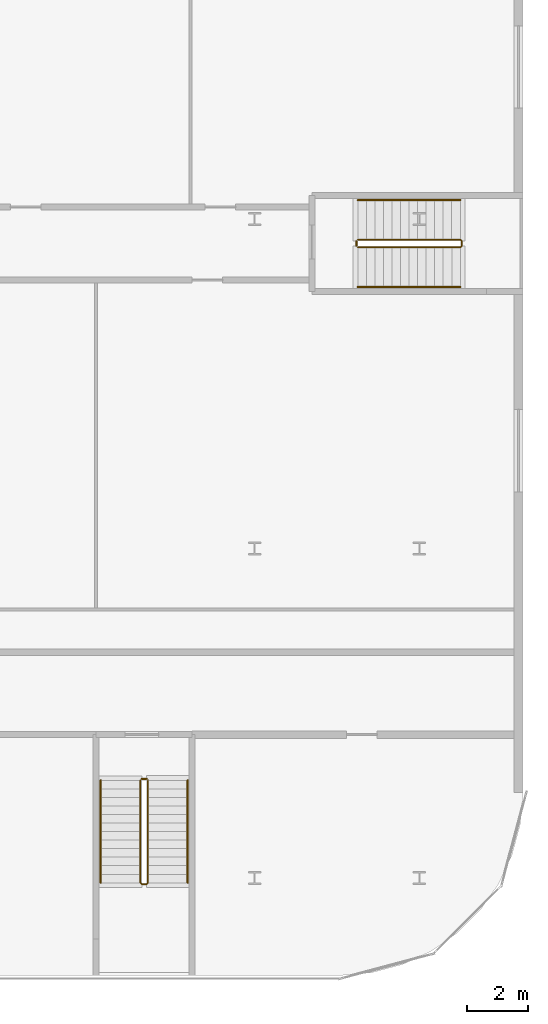
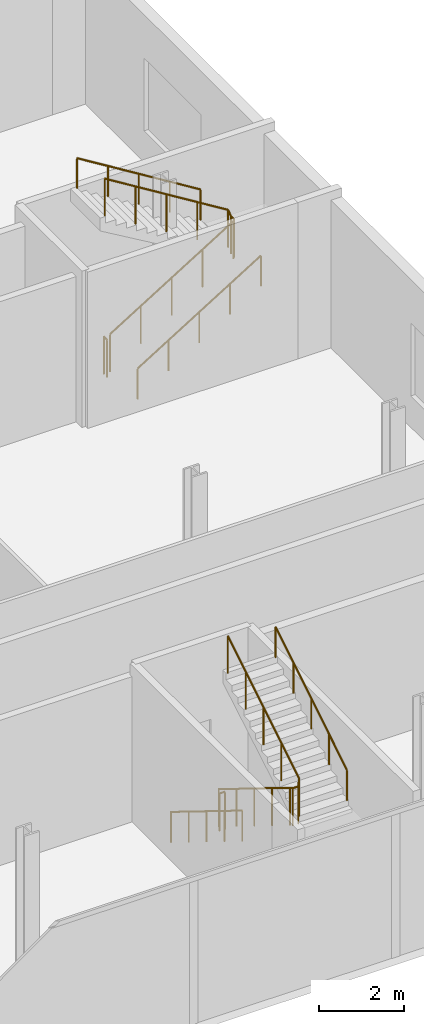
# One storey, part 42 of 47: 8 railings.
"""IFC4 building model written with IfcOpenShell, lengths in metres."""

from ifc_helpers import new_model, si_unit, direction, frame, origin, origin_2d, place, context, subcontext, project, spatial, circle, extrude, material, type_object, element, save


model = new_model("IFC4")

# Units and contexts
model_context = context("Model", 3, precision=1e-05, world=origin(), true_north=direction((0.0, 1.0)))
body_context = subcontext(model_context, "Body", "Model", "MODEL_VIEW")
ifc_project = project(units=[si_unit("LENGTHUNIT", "METRE"), si_unit("AREAUNIT", "SQUARE_METRE"), si_unit("VOLUMEUNIT", "CUBIC_METRE"), si_unit("PLANEANGLEUNIT", "RADIAN"), si_unit("MASSUNIT", "GRAM", prefix="KILO")], contexts=[model_context])

# Site, building, storey
site_placement = place(None, origin())
site = spatial("IfcSite", under=ifc_project, at=site_placement, CompositionType="ELEMENT")
building_placement = place(site_placement, origin())
building = spatial("IfcBuilding", under=site, at=building_placement, Name="Kheshtan School and Residences Tower", CompositionType="ELEMENT")
storey_placement = place(building_placement, frame((0.0, 0.0, 21.5)))
storey = spatial("IfcBuildingStorey", under=building, at=storey_placement, Name="L04", CompositionType="ELEMENT", Elevation=21.5)

# Railings
ifc_material_1 = material(Name="Stainless steel balustrade", Category="steel")
railing_type_1 = type_object("IfcRailingType", Name="Stair guard 1100", PredefinedType="GUARDRAIL", material=ifc_material_1)
railing_1_placement = place(storey_placement, frame((119.449951171875, 16.39990234375, 0.173095703125)))
element("IfcRailing", 1, at=railing_1_placement, inside=storey, type_object=railing_type_1, Name="L04 PS-118-010 stair guard 1", PredefinedType="GUARDRAIL", context=body_context, shape_type="SweptSolid", body=[
    extrude(circle(Radius=0.02392578125, at=origin_2d()), frame((0.0, 0.0, 1.076171875), z_axis=(0.0, -0.850606129759, 0.525803396734), x_axis=(1.0, 0.0, 0.0)), (0.0, 0.0, 1.0), 3.949951171875),
    extrude(circle(Radius=0.02392578125, at=origin_2d()), frame((0.0, -3.35986328125, 3.15283203125), z_axis=(0.707106781187, -0.707106781187, 0.0), x_axis=(0.707106781187, 0.707106781187, 0.0)), (0.0, 0.0, 1.0), 0.07080078125),
    extrude(circle(Radius=0.02392578125, at=origin_2d()), frame((0.050048828125, -3.409912109375, 3.15283203125), z_axis=(1.0, 0.0, 0.0), x_axis=(0.0, 1.0, 0.0)), (0.0, 0.0, 1.0), 0.14990234375),
    extrude(circle(Radius=0.02392578125, at=origin_2d()), frame((0.199951171875, -3.409912109375, 3.15283203125), z_axis=(0.267629722418, 0.267629722418, 0.925607186314), x_axis=(-0.707106781187, 0.707106781187, 0.0)), (0.0, 0.0, 1.0), 0.18701171875),
    extrude(circle(Radius=0.02392578125, at=origin_2d()), frame((0.25, -3.35986328125, 3.326171875), z_axis=(0.0, 0.850606129759, 0.525803396734), x_axis=(-1.0, 0.0, 0.0)), (0.0, 0.0, 1.0), 3.949951171875),
    extrude(circle(Radius=0.02099609375, at=origin_2d()), origin(), (0.0, 0.0, 1.0), 1.052001953125),
    extrude(circle(Radius=0.02099609375, at=origin_2d()), frame((0.0, -0.83984375, 0.519287109375)), (0.0, 0.0, 1.0), 1.052001953125),
    extrude(circle(Radius=0.02099609375, at=origin_2d()), frame((0.0, -1.679931640625, 1.03857421875)), (0.0, 0.0, 1.0), 1.052001953125),
    extrude(circle(Radius=0.02099609375, at=origin_2d()), frame((0.0, -2.52001953125, 1.5576171875)), (0.0, 0.0, 1.0), 1.052001953125),
    extrude(circle(Radius=0.02099609375, at=origin_2d()), frame((0.0, -3.35986328125, 2.076904296875)), (0.0, 0.0, 1.0), 1.052001953125),
    extrude(circle(Radius=0.02099609375, at=origin_2d()), frame((0.050048828125, -3.409912109375, 2.076904296875)), (0.0, 0.0, 1.0), 1.052001953125),
    extrude(circle(Radius=0.02099609375, at=origin_2d()), frame((0.199951171875, -3.409912109375, 2.076904296875)), (0.0, 0.0, 1.0), 1.052001953125),
    extrude(circle(Radius=0.02099609375, at=origin_2d()), frame((0.25, -3.35986328125, 2.25)), (0.0, 0.0, 1.0), 1.052001953125),
    extrude(circle(Radius=0.02099609375, at=origin_2d()), frame((0.25, -2.52001953125, 2.769287109375)), (0.0, 0.0, 1.0), 1.052001953125),
    extrude(circle(Radius=0.02099609375, at=origin_2d()), frame((0.25, -1.679931640625, 3.28857421875)), (0.0, 0.0, 1.0), 1.052001953125),
    extrude(circle(Radius=0.02099609375, at=origin_2d()), frame((0.25, -0.83984375, 3.8076171875)), (0.0, 0.0, 1.0), 1.052001953125),
    extrude(circle(Radius=0.02099609375, at=origin_2d()), frame((0.25, 0.0, 4.326904296875)), (0.0, 0.0, 1.0), 1.052001953125),
])
railing_2_placement = place(storey_placement, frame((119.5, 16.449951171875, 0.0)))
element("IfcRailing", 2, at=railing_2_placement, inside=storey, type_object=railing_type_1, Name="L04 PS-118-010 stair guard 2", PredefinedType="GUARDRAIL", context=body_context, shape_type="SweptSolid", body=[
    extrude(circle(Radius=0.02392578125, at=origin_2d()), frame((0.0, 0.0, 1.076171875), z_axis=(1.0, 0.0, 0.0), x_axis=(0.0, 1.0, 0.0)), (0.0, 0.0, 1.0), 0.14990234375),
    extrude(circle(Radius=0.02099609375, at=origin_2d()), origin(), (0.0, 0.0, 1.0), 1.052001953125),
    extrude(circle(Radius=0.02099609375, at=origin_2d()), frame((0.14990234375, 0.0, 0.0)), (0.0, 0.0, 1.0), 1.052001953125),
])
railing_3_placement = place(storey_placement, frame((126.580078125, 33.875, 0.173095703125)))
element("IfcRailing", 3, at=railing_3_placement, inside=storey, type_object=railing_type_1, Name="L04 PS-125-032 stair guard 1", PredefinedType="GUARDRAIL", context=body_context, shape_type="SweptSolid", body=[
    extrude(circle(Radius=0.02392578125, at=origin_2d()), frame((0.0, 0.0, 1.076171875), z_axis=(0.850606129759, 0.0, 0.525803396734), x_axis=(0.0, 1.0, 0.0)), (0.0, 0.0, 1.0), 3.949951171875),
    extrude(circle(Radius=0.02392578125, at=origin_2d()), frame((3.35986328125, 0.0, 3.15283203125), z_axis=(0.707106781187, 0.707106781187, 0.0), x_axis=(-0.707106781187, 0.707106781187, 0.0)), (0.0, 0.0, 1.0), 0.07080078125),
    extrude(circle(Radius=0.02392578125, at=origin_2d()), frame((3.409912109375, 0.050048828125, 3.15283203125), z_axis=(0.0, 1.0, 0.0), x_axis=(-1.0, 0.0, 0.0)), (0.0, 0.0, 1.0), 0.14990234375),
    extrude(circle(Radius=0.02392578125, at=origin_2d()), frame((3.409912109375, 0.199951171875, 3.15283203125), z_axis=(-0.267629722418, 0.267629722418, 0.925607186314), x_axis=(-0.707106781187, -0.707106781187, 0.0)), (0.0, 0.0, 1.0), 0.18701171875),
    extrude(circle(Radius=0.02392578125, at=origin_2d()), frame((3.35986328125, 0.25, 3.326171875), z_axis=(-0.850606129759, 0.0, 0.525803396734), x_axis=(0.0, -1.0, 0.0)), (0.0, 0.0, 1.0), 3.949951171875),
    extrude(circle(Radius=0.02099609375, at=origin_2d()), origin(), (0.0, 0.0, 1.0), 1.052001953125),
    extrude(circle(Radius=0.02099609375, at=origin_2d()), frame((0.83984375, 0.0, 0.519287109375)), (0.0, 0.0, 1.0), 1.052001953125),
    extrude(circle(Radius=0.02099609375, at=origin_2d()), frame((1.679931640625, 0.0, 1.03857421875)), (0.0, 0.0, 1.0), 1.052001953125),
    extrude(circle(Radius=0.02099609375, at=origin_2d()), frame((2.52001953125, 0.0, 1.5576171875)), (0.0, 0.0, 1.0), 1.052001953125),
    extrude(circle(Radius=0.02099609375, at=origin_2d()), frame((3.35986328125, 0.0, 2.076904296875)), (0.0, 0.0, 1.0), 1.052001953125),
    extrude(circle(Radius=0.02099609375, at=origin_2d()), frame((3.409912109375, 0.050048828125, 2.076904296875)), (0.0, 0.0, 1.0), 1.052001953125),
    extrude(circle(Radius=0.02099609375, at=origin_2d()), frame((3.409912109375, 0.199951171875, 2.076904296875)), (0.0, 0.0, 1.0), 1.052001953125),
    extrude(circle(Radius=0.02099609375, at=origin_2d()), frame((3.35986328125, 0.25, 2.25)), (0.0, 0.0, 1.0), 1.052001953125),
    extrude(circle(Radius=0.02099609375, at=origin_2d()), frame((2.52001953125, 0.25, 2.769287109375)), (0.0, 0.0, 1.0), 1.052001953125),
    extrude(circle(Radius=0.02099609375, at=origin_2d()), frame((1.679931640625, 0.25, 3.28857421875)), (0.0, 0.0, 1.0), 1.052001953125),
    extrude(circle(Radius=0.02099609375, at=origin_2d()), frame((0.83984375, 0.25, 3.8076171875)), (0.0, 0.0, 1.0), 1.052001953125),
    extrude(circle(Radius=0.02099609375, at=origin_2d()), frame((0.0, 0.25, 4.326904296875)), (0.0, 0.0, 1.0), 1.052001953125),
])
railing_4_placement = place(storey_placement, frame((126.530029296875, 33.925048828125, 0.0)))
element("IfcRailing", 4, at=railing_4_placement, inside=storey, type_object=railing_type_1, Name="L04 PS-125-032 stair guard 2", PredefinedType="GUARDRAIL", context=body_context, shape_type="SweptSolid", body=[
    extrude(circle(Radius=0.02392578125, at=origin_2d()), frame((0.0, 0.0, 1.076171875), z_axis=(0.0, 1.0, 0.0), x_axis=(-1.0, 0.0, 0.0)), (0.0, 0.0, 1.0), 0.14990234375),
    extrude(circle(Radius=0.02099609375, at=origin_2d()), origin(), (0.0, 0.0, 1.0), 1.052001953125),
    extrude(circle(Radius=0.02099609375, at=origin_2d()), frame((0.0, 0.14990234375, 0.0)), (0.0, 0.0, 1.0), 1.052001953125),
])
ifc_material_2 = material(Name="Stainless steel handrail", Category="steel")
railing_type_2 = type_object("IfcRailingType", Name="Stair handrail 900", PredefinedType="HANDRAIL", material=ifc_material_2)
railing_5_placement = place(storey_placement, frame((118.14990234375, 16.39990234375, 0.173095703125)))
element("IfcRailing", 5, at=railing_5_placement, inside=storey, type_object=railing_type_2, Name="L04 PS-118-010 stair handrail 1", PredefinedType="HANDRAIL", context=body_context, shape_type="SweptSolid", body=[
    extrude(circle(Radius=0.02392578125, at=origin_2d()), frame((0.0, 0.0, 0.8759765625), z_axis=(0.0, -0.850606129759, 0.525803396734), x_axis=(1.0, 0.0, 0.0)), (0.0, 0.0, 1.0), 3.949951171875),
    extrude(circle(Radius=0.02099609375, at=origin_2d()), origin(), (0.0, 0.0, 1.0), 0.851806640625),
    extrude(circle(Radius=0.02099609375, at=origin_2d()), frame((0.0, -0.83984375, 0.519287109375)), (0.0, 0.0, 1.0), 0.851806640625),
    extrude(circle(Radius=0.02099609375, at=origin_2d()), frame((0.0, -1.679931640625, 1.03857421875)), (0.0, 0.0, 1.0), 0.851806640625),
    extrude(circle(Radius=0.02099609375, at=origin_2d()), frame((0.0, -2.52001953125, 1.5576171875)), (0.0, 0.0, 1.0), 0.851806640625),
    extrude(circle(Radius=0.02099609375, at=origin_2d()), frame((0.0, -3.35986328125, 2.076904296875)), (0.0, 0.0, 1.0), 0.851806640625),
])
railing_6_placement = place(storey_placement, frame((121.0, 13.0400390625, 2.423095703125)))
element("IfcRailing", 6, at=railing_6_placement, inside=storey, type_object=railing_type_2, Name="L04 PS-118-010 stair handrail 2", PredefinedType="HANDRAIL", context=body_context, shape_type="SweptSolid", body=[
    extrude(circle(Radius=0.02392578125, at=origin_2d()), frame((0.0, 0.0, 0.8759765625), z_axis=(0.0, 0.850606129759, 0.525803396734), x_axis=(-1.0, 0.0, 0.0)), (0.0, 0.0, 1.0), 3.949951171875),
    extrude(circle(Radius=0.02099609375, at=origin_2d()), origin(), (0.0, 0.0, 1.0), 0.851806640625),
    extrude(circle(Radius=0.02099609375, at=origin_2d()), frame((0.0, 0.83984375, 0.519287109375)), (0.0, 0.0, 1.0), 0.851806640625),
    extrude(circle(Radius=0.02099609375, at=origin_2d()), frame((0.0, 1.679931640625, 1.03857421875)), (0.0, 0.0, 1.0), 0.851806640625),
    extrude(circle(Radius=0.02099609375, at=origin_2d()), frame((0.0, 2.52001953125, 1.5576171875)), (0.0, 0.0, 1.0), 0.851806640625),
    extrude(circle(Radius=0.02099609375, at=origin_2d()), frame((0.0, 3.35986328125, 2.076904296875)), (0.0, 0.0, 1.0), 0.851806640625),
])
railing_7_placement = place(storey_placement, frame((126.580078125, 32.574951171875, 0.173095703125)))
element("IfcRailing", 7, at=railing_7_placement, inside=storey, type_object=railing_type_2, Name="L04 PS-125-032 stair handrail 1", PredefinedType="HANDRAIL", context=body_context, shape_type="SweptSolid", body=[
    extrude(circle(Radius=0.02392578125, at=origin_2d()), frame((0.0, 0.0, 0.8759765625), z_axis=(0.850606129759, 0.0, 0.525803396734), x_axis=(0.0, 1.0, 0.0)), (0.0, 0.0, 1.0), 3.949951171875),
    extrude(circle(Radius=0.02099609375, at=origin_2d()), origin(), (0.0, 0.0, 1.0), 0.851806640625),
    extrude(circle(Radius=0.02099609375, at=origin_2d()), frame((0.83984375, 0.0, 0.519287109375)), (0.0, 0.0, 1.0), 0.851806640625),
    extrude(circle(Radius=0.02099609375, at=origin_2d()), frame((1.679931640625, 0.0, 1.03857421875)), (0.0, 0.0, 1.0), 0.851806640625),
    extrude(circle(Radius=0.02099609375, at=origin_2d()), frame((2.52001953125, 0.0, 1.5576171875)), (0.0, 0.0, 1.0), 0.851806640625),
    extrude(circle(Radius=0.02099609375, at=origin_2d()), frame((3.35986328125, 0.0, 2.076904296875)), (0.0, 0.0, 1.0), 0.851806640625),
])
railing_8_placement = place(storey_placement, frame((129.93994140625, 35.425048828125, 2.423095703125)))
element("IfcRailing", 8, at=railing_8_placement, inside=storey, type_object=railing_type_2, Name="L04 PS-125-032 stair handrail 2", PredefinedType="HANDRAIL", context=body_context, shape_type="SweptSolid", body=[
    extrude(circle(Radius=0.02392578125, at=origin_2d()), frame((0.0, 0.0, 0.8759765625), z_axis=(-0.850606129759, 0.0, 0.525803396734), x_axis=(0.0, -1.0, 0.0)), (0.0, 0.0, 1.0), 3.949951171875),
    extrude(circle(Radius=0.02099609375, at=origin_2d()), origin(), (0.0, 0.0, 1.0), 0.851806640625),
    extrude(circle(Radius=0.02099609375, at=origin_2d()), frame((-0.83984375, 0.0, 0.519287109375)), (0.0, 0.0, 1.0), 0.851806640625),
    extrude(circle(Radius=0.02099609375, at=origin_2d()), frame((-1.679931640625, 0.0, 1.03857421875)), (0.0, 0.0, 1.0), 0.851806640625),
    extrude(circle(Radius=0.02099609375, at=origin_2d()), frame((-2.52001953125, 0.0, 1.5576171875)), (0.0, 0.0, 1.0), 0.851806640625),
    extrude(circle(Radius=0.02099609375, at=origin_2d()), frame((-3.35986328125, 0.0, 2.076904296875)), (0.0, 0.0, 1.0), 0.851806640625),
])

save(model, "model.ifc")
